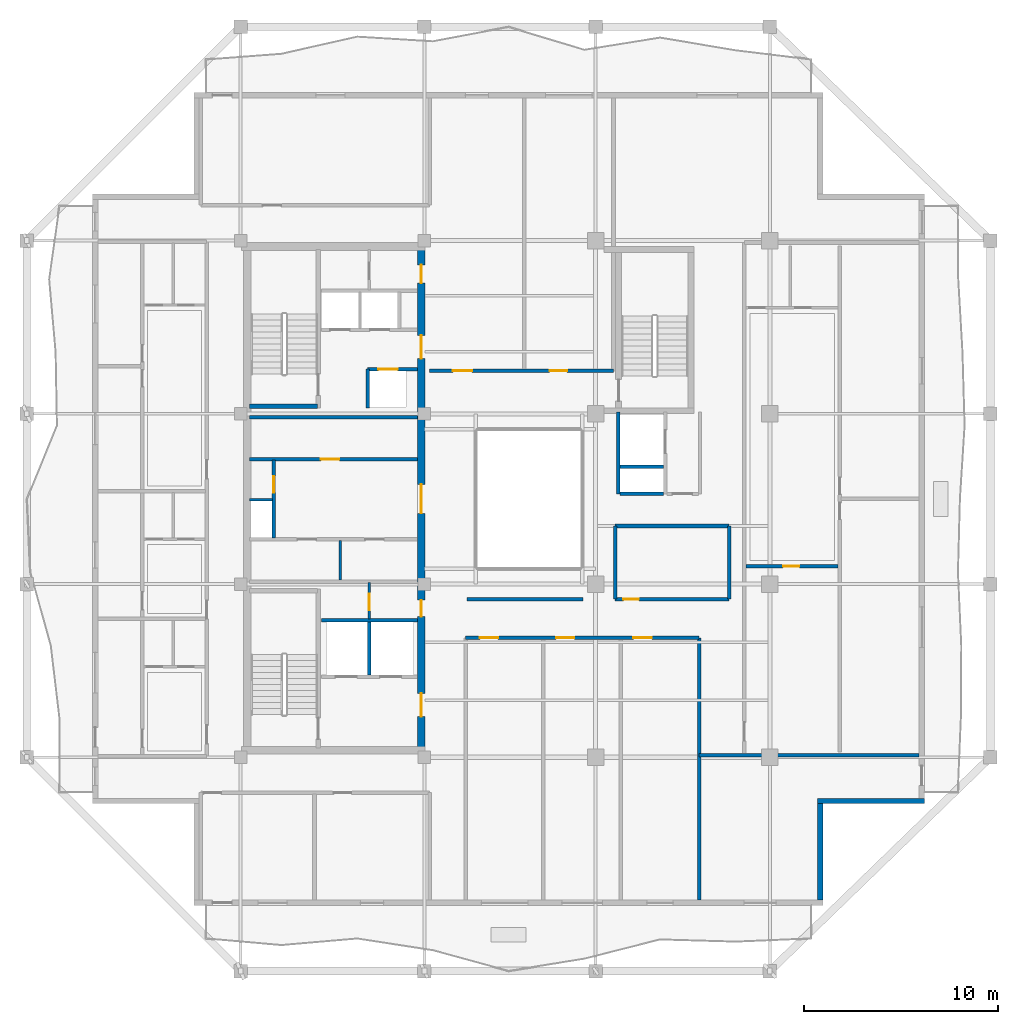
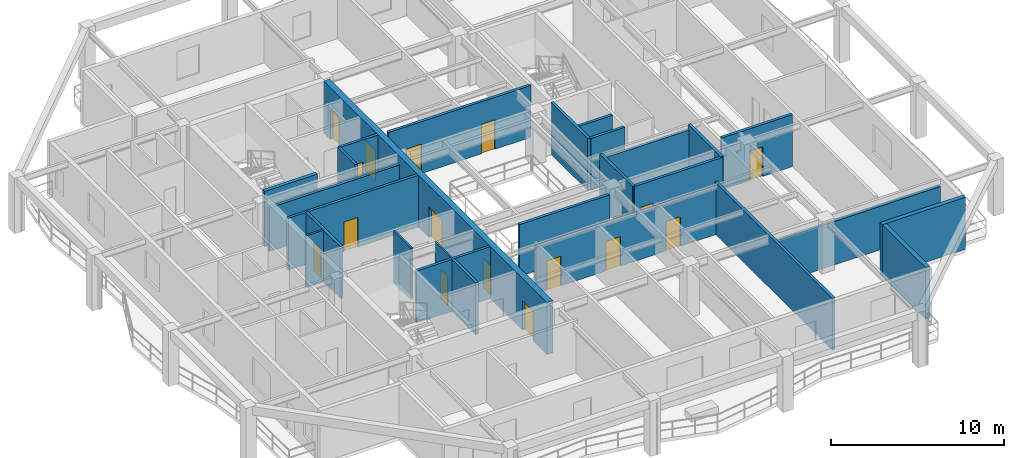
# One storey, part 4 of 11: 27 walls, 16 doors, 16 openings.
"""IFC4 building model written with IfcOpenShell, lengths in metres."""

from ifc_helpers import new_model, si_unit, direction, frame, frame_2d, origin, place, context, subcontext, project, spatial, rectangle, extrude, material, layer, layer_set, type_object, element, fill, save


model = new_model("IFC4")

# Units and contexts
model_context = context("Model", 3, precision=1e-05, world=origin(), true_north=direction((0.0, 1.0)))
body_context = subcontext(model_context, "Body", "Model", "MODEL_VIEW")
ifc_project = project(units=[si_unit("LENGTHUNIT", "METRE"), si_unit("AREAUNIT", "SQUARE_METRE"), si_unit("VOLUMEUNIT", "CUBIC_METRE"), si_unit("PLANEANGLEUNIT", "RADIAN"), si_unit("MASSUNIT", "GRAM", prefix="KILO")], contexts=[model_context])

# Site, building, storey
site_placement = place(None, origin())
site = spatial("IfcSite", under=ifc_project, at=site_placement, CompositionType="ELEMENT")
building_placement = place(site_placement, origin())
building = spatial("IfcBuilding", under=site, at=building_placement, Name="Kundavana Baori Tower", CompositionType="ELEMENT")
storey_placement = place(building_placement, frame((0.0, 0.0, 260.89990234375)))
storey = spatial("IfcBuildingStorey", under=building, at=storey_placement, Name="L64", CompositionType="ELEMENT", Elevation=260.89990234375)

# Wall, openings, doors
ifc_material_1 = material(Name="Concrete C50/60", Category="concrete")
ifc_layer_1 = layer(ifc_material_1, 0.39990234375, Name="WL-CORE-400")
ifc_layer_set_1 = layer_set([ifc_layer_1], Name="Concrete C50/60")
wall_type_1 = type_object("IfcWallType", Name="WL-CORE-400", PredefinedType="SHEAR", material=ifc_layer_set_1)
wall_1_placement = place(storey_placement, frame((24.780029296875, 15.739990234375, 0.0), z_axis=(0.0, 0.0, 1.0), x_axis=(0.0, 1.0, 0.0)))
wall_1 = element("IfcWall", 1, at=wall_1_placement, inside=storey, type_object=wall_type_1, Name="L64 Offset Core East Shear Wall", PredefinedType="SHEAR", context=body_context, shape_type="SweptSolid", body=[
    extrude(rectangle(XDim=25.760009765625, YDim=0.39990234375, at=frame_2d((12.8798828125, 0.0))), origin(), (0.0, 0.0, 1.0), 3.66015625),
])
opening_1_placement = place(wall_1_placement, frame((1.610107421875, 0.0, 0.0)))
opening_1 = element("IfcOpeningElement", 2, at=opening_1_placement, cuts=wall_1, Name="Opening FD-120", PredefinedType="OPENING", context=body_context, shape_type="SweptSolid", body=[
    extrude(rectangle(XDim=1.199951171875, YDim=2.10009765625, at=frame_2d((0.60009765625, 1.050048828125))), frame((0.0, 0.2099609375, 0.0), z_axis=(0.0, -1.0, 0.0), x_axis=(1.0, 0.0, 0.0)), (0.0, 0.0, 1.0), 0.419921875),
])
opening_2_placement = place(wall_1_placement, frame((6.780029296875, 0.0, 0.0)))
opening_2 = element("IfcOpeningElement", 3, at=opening_2_placement, cuts=wall_1, Name="Opening FD-085", PredefinedType="OPENING", context=body_context, shape_type="SweptSolid", body=[
    extrude(rectangle(XDim=0.85009765625, YDim=2.06005859375, at=frame_2d((0.425048828125, 1.030029296875))), frame((0.0, 0.2099609375, 0.0), z_axis=(0.0, -1.0, 0.0), x_axis=(1.0, 0.0, 0.0)), (0.0, 0.0, 1.0), 0.419921875),
])
opening_3_placement = place(wall_1_placement, frame((12.110107421875, 0.0, 0.0)))
opening_3 = element("IfcOpeningElement", 4, at=opening_3_placement, cuts=wall_1, Name="Opening FD-150", PredefinedType="OPENING", context=body_context, shape_type="SweptSolid", body=[
    extrude(rectangle(XDim=1.5, YDim=2.1201171875, at=frame_2d((0.75, 1.06005859375))), frame((0.0, 0.2099609375, 0.0), z_axis=(0.0, -1.0, 0.0), x_axis=(1.0, 0.0, 0.0)), (0.0, 0.0, 1.0), 0.419921875),
])
opening_4_placement = place(wall_1_placement, frame((20.110107421875, 0.0, 0.0)))
opening_4 = element("IfcOpeningElement", 5, at=opening_4_placement, cuts=wall_1, Name="Opening FD-122", PredefinedType="OPENING", context=body_context, shape_type="SweptSolid", body=[
    extrude(rectangle(XDim=1.199951171875, YDim=2.1201171875, at=frame_2d((0.60009765625, 1.06005859375))), frame((0.0, 0.2099609375, 0.0), z_axis=(0.0, -1.0, 0.0), x_axis=(1.0, 0.0, 0.0)), (0.0, 0.0, 1.0), 0.419921875),
])
opening_5_placement = place(wall_1_placement, frame((24.010009765625, 0.0, 0.0)))
opening_5 = element("IfcOpeningElement", 6, at=opening_5_placement, cuts=wall_1, Name="Opening FD-095", PredefinedType="OPENING", context=body_context, shape_type="SweptSolid", body=[
    extrude(rectangle(XDim=0.949951171875, YDim=2.10009765625, at=frame_2d((0.47509765625, 1.050048828125))), frame((0.0, 0.2099609375, 0.0), z_axis=(0.0, -1.0, 0.0), x_axis=(1.0, 0.0, 0.0)), (0.0, 0.0, 1.0), 0.419921875),
])
ifc_material_2 = material(Name="Galvanised Steel Fire-Rated Door Leaf", Category="steel")
door_type_1 = type_object("IfcDoorType", Name="DR-FD120-1200", OperationType="NOTDEFINED", PredefinedType="DOOR", material=ifc_material_2)
door_1_placement = place(opening_1_placement, frame((1.199951171875, 0.0, 0.0), z_axis=(0.0, 0.0, 1.0), x_axis=(-1.0, 0.0, 0.0)))
door_1 = element("IfcDoor", 7, at=door_1_placement, inside=storey, type_object=door_type_1, Name="DR-L64-FFLOB-E", OperationType="SINGLE_SWING_RIGHT", OverallHeight=2.10009765625, OverallWidth=1.199951171875, PredefinedType="DOOR", context=body_context, shape_type="SweptSolid", body=[
    extrude(rectangle(XDim=1.199951171875, YDim=2.10009765625, at=frame_2d((0.60009765625, 1.050048828125))), frame((0.0, 0.02490234375, 0.0), z_axis=(0.0, -1.0, 0.0), x_axis=(1.0, 0.0, 0.0)), (0.0, 0.0, 1.0), 0.050048828125),
])
fill(opening_1, door_1)
ifc_material_3 = material(Name="Galvanised Steel Fire-Rated Door Leaf", Category="steel")
door_type_2 = type_object("IfcDoorType", Name="DR-FD60-1200", OperationType="NOTDEFINED", PredefinedType="DOOR", material=ifc_material_3)
door_2_placement = place(opening_4_placement, frame((1.199951171875, 0.0, 0.0), z_axis=(0.0, 0.0, 1.0), x_axis=(-1.0, 0.0, 0.0)))
door_2 = element("IfcDoor", 8, at=door_2_placement, inside=storey, type_object=door_type_2, Name="DR-L64-HRLOB-E", OperationType="SINGLE_SWING_RIGHT", OverallHeight=2.1201171875, OverallWidth=1.199951171875, PredefinedType="DOOR", context=body_context, shape_type="SweptSolid", body=[
    extrude(rectangle(XDim=1.199951171875, YDim=2.1201171875, at=frame_2d((0.60009765625, 1.06005859375))), frame((0.0, 0.02490234375, 0.0), z_axis=(0.0, -1.0, 0.0), x_axis=(1.0, 0.0, 0.0)), (0.0, 0.0, 1.0), 0.050048828125),
])
fill(opening_4, door_2)
ifc_material_4 = material(Name="Galvanised Steel Fire-Rated Door Leaf", Category="steel")
door_type_3 = type_object("IfcDoorType", Name="DR-FD60-1500", OperationType="NOTDEFINED", PredefinedType="DOOR", material=ifc_material_4)
door_3_placement = place(opening_3_placement, frame((1.5, 0.0, 0.0), z_axis=(0.0, 0.0, 1.0), x_axis=(-1.0, 0.0, 0.0)))
door_3 = element("IfcDoor", 9, at=door_3_placement, inside=storey, type_object=door_type_3, Name="DR-L64-LIFTHALL-E", OperationType="SINGLE_SWING_LEFT", OverallHeight=2.1201171875, OverallWidth=1.5, PredefinedType="DOOR", context=body_context, shape_type="SweptSolid", body=[
    extrude(rectangle(XDim=1.5, YDim=2.1201171875, at=frame_2d((0.75, 1.06005859375))), frame((0.0, 0.02490234375, 0.0), z_axis=(0.0, -1.0, 0.0), x_axis=(1.0, 0.0, 0.0)), (0.0, 0.0, 1.0), 0.050048828125),
])
fill(opening_3, door_3)
ifc_material_5 = material(Name="Galvanised Steel Fire-Rated Door Leaf", Category="steel")
door_type_4 = type_object("IfcDoorType", Name="DR-FD60-850", OperationType="NOTDEFINED", PredefinedType="DOOR", material=ifc_material_5)
door_4_placement = place(opening_2_placement, frame((0.85009765625, 0.0, 0.0), z_axis=(0.0, 0.0, 1.0), x_axis=(-1.0, 0.0, 0.0)))
door_4 = element("IfcDoor", 10, at=door_4_placement, inside=storey, type_object=door_type_4, Name="DR-L64-CSMK2", OperationType="SINGLE_SWING_RIGHT", OverallHeight=2.06005859375, OverallWidth=0.85009765625, PredefinedType="DOOR", context=body_context, shape_type="SweptSolid", body=[
    extrude(rectangle(XDim=0.85009765625, YDim=2.06005859375, at=frame_2d((0.425048828125, 1.030029296875))), frame((0.0, 0.02490234375, 0.0), z_axis=(0.0, -1.0, 0.0), x_axis=(1.0, 0.0, 0.0)), (0.0, 0.0, 1.0), 0.050048828125),
])
fill(opening_2, door_4)
ifc_material_6 = material(Name="Engineered Teak Fire-Rated Timber Door Leaf", Category="wood")
door_type_5 = type_object("IfcDoorType", Name="DR-FD60-950", OperationType="NOTDEFINED", PredefinedType="DOOR", material=ifc_material_6)
door_5_placement = place(opening_5_placement, frame((0.949951171875, 0.0, 0.0), z_axis=(0.0, 0.0, 1.0), x_axis=(-1.0, 0.0, 0.0)))
door_5 = element("IfcDoor", 11, at=door_5_placement, inside=storey, type_object=door_type_5, Name="DR-L64-CSRV2", OperationType="SINGLE_SWING_RIGHT", OverallHeight=2.10009765625, OverallWidth=0.949951171875, PredefinedType="DOOR", context=body_context, shape_type="SweptSolid", body=[
    extrude(rectangle(XDim=0.949951171875, YDim=2.10009765625, at=frame_2d((0.47509765625, 1.050048828125))), frame((0.0, 0.02490234375, 0.0), z_axis=(0.0, -1.0, 0.0), x_axis=(1.0, 0.0, 0.0)), (0.0, 0.0, 1.0), 0.050048828125),
])
fill(opening_5, door_5)

# Walls
wall_2_placement = place(storey_placement, frame((15.89990234375, 33.389892578125, 0.0), z_axis=(0.0, 0.0, 1.0), x_axis=(1.0, 0.0, 0.0)))
element("IfcWall", 12, at=wall_2_placement, inside=storey, type_object=wall_type_1, Name="WL-L64-ST2-S", PredefinedType="SHEAR", context=body_context, shape_type="SweptSolid", body=[
    extrude(rectangle(XDim=3.52001953125, YDim=0.239990234375, at=frame_2d((1.760009765625, 0.0))), origin(), (0.0, 0.0, 1.0), 3.900146484375),
])
ifc_material_7 = material(Name="Red-Buff Dholpur Sandstone Cladding on Concrete C40/50", Category="masonry")
ifc_layer_2 = layer(ifc_material_7, 0.280029296875, Name="WL-EXT-SAND-280")
ifc_layer_set_2 = layer_set([ifc_layer_2], Name="Red-Buff Dholpur Sandstone Cladding on Concrete C40/50")
wall_type_2 = type_object("IfcWallType", Name="WL-EXT-SAND-280", PredefinedType="STANDARD", material=ifc_layer_set_2)
wall_3_placement = place(storey_placement, frame((45.409912109375, 7.8798828125, 0.0), z_axis=(0.0, 0.0, 1.0), x_axis=(0.0, 1.0, 0.0)))
element("IfcWall", 13, at=wall_3_placement, inside=storey, type_object=wall_type_2, Name="L64 Exterior Insulated Facade Wall 02", PredefinedType="STANDARD", context=body_context, shape_type="SweptSolid", body=[
    extrude(rectangle(XDim=4.97021484375, YDim=0.280029296875, at=frame_2d((2.485107421875, 0.0))), origin(), (0.0, 0.0, 1.0), 3.66015625),
])
wall_4_placement = place(storey_placement, frame((45.27001953125, 12.989990234375, 0.0), z_axis=(0.0, 0.0, 1.0), x_axis=(1.0, 0.0, 0.0)))
element("IfcWall", 14, at=wall_4_placement, inside=storey, type_object=wall_type_2, Name="L64 Exterior Insulated Facade Wall 03", PredefinedType="STANDARD", context=body_context, shape_type="SweptSolid", body=[
    extrude(rectangle(XDim=5.530029296875, YDim=0.280029296875, at=frame_2d((2.76513671875, 0.0))), origin(), (0.0, 0.0, 1.0), 3.66015625),
])

# Wall, opening, door
ifc_material_8 = material(Name="Acoustic Gypsum Plasterboard on Galvanised Steel Studs", Category="steel")
ifc_layer_3 = layer(ifc_material_8, 0.1201171875, Name="WL-PART-120")
ifc_layer_set_3 = layer_set([ifc_layer_3], Name="Acoustic Gypsum Plasterboard on Galvanised Steel Studs")
wall_type_3 = type_object("IfcWallType", Name="WL-PART-120", PredefinedType="PARTITIONING", material=ifc_layer_set_3)
wall_5_placement = place(storey_placement, frame((22.10009765625, 22.39990234375, 0.0), z_axis=(0.0, 0.0, 1.0), x_axis=(0.0, 1.0, 0.0)))
wall_5 = element("IfcWall", 15, at=wall_5_placement, inside=storey, type_object=wall_type_3, Name="WL-L64-CSMK-D1", PredefinedType="PARTITIONING", context=body_context, shape_type="SweptSolid", body=[
    extrude(rectangle(XDim=1.880126953125, YDim=0.1201171875, at=frame_2d((0.93994140625, 0.0))), origin(), (0.0, 0.0, 1.0), 3.66015625),
])
opening_6_placement = place(wall_5_placement, frame((0.449951171875, 0.0, 0.0)))
opening_6 = element("IfcOpeningElement", 16, at=opening_6_placement, cuts=wall_5, Name="Opening FD-085", PredefinedType="OPENING", context=body_context, shape_type="SweptSolid", body=[
    extrude(rectangle(XDim=0.85009765625, YDim=2.06005859375, at=frame_2d((0.425048828125, 1.030029296875))), frame((0.0, 0.070068359375, 0.0), z_axis=(0.0, -1.0, 0.0), x_axis=(1.0, 0.0, 0.0)), (0.0, 0.0, 1.0), 0.14013671875),
])
door_6_placement = place(opening_6_placement, origin())
door_6 = element("IfcDoor", 17, at=door_6_placement, inside=storey, type_object=door_type_4, Name="DR-L64-CSMK1", OperationType="SINGLE_SWING_LEFT", OverallHeight=2.06005859375, OverallWidth=0.85009765625, PredefinedType="DOOR", context=body_context, shape_type="SweptSolid", body=[
    extrude(rectangle(XDim=0.85009765625, YDim=2.06005859375, at=frame_2d((0.425048828125, 1.030029296875))), frame((0.0, 0.02490234375, 0.0), z_axis=(0.0, -1.0, 0.0), x_axis=(1.0, 0.0, 0.0)), (0.0, 0.0, 1.0), 0.050048828125),
])
fill(opening_6, door_6)

# Walls
wall_6_placement = place(storey_placement, frame((20.60009765625, 24.419921875, 0.0), z_axis=(0.0, 0.0, 1.0), x_axis=(0.0, 1.0, 0.0)))
element("IfcWall", 18, at=wall_6_placement, inside=storey, type_object=wall_type_3, Name="WL-L64-FRLOW-DIV", PredefinedType="PARTITIONING", context=body_context, shape_type="SweptSolid", body=[
    extrude(rectangle(XDim=2.02001953125, YDim=0.1201171875, at=frame_2d((1.010009765625, 0.0))), origin(), (0.0, 0.0, 1.0), 3.66015625),
])
wall_7_placement = place(storey_placement, frame((15.89990234375, 28.56005859375, 0.0), z_axis=(0.0, 0.0, 1.0), x_axis=(1.0, 0.0, 0.0)))
element("IfcWall", 19, at=wall_7_placement, inside=storey, type_object=wall_type_3, Name="WL-L64-RSRW-N", PredefinedType="PARTITIONING", context=body_context, shape_type="SweptSolid", body=[
    extrude(rectangle(XDim=1.2001953125, YDim=0.1201171875, at=frame_2d((0.60009765625, 0.0))), origin(), (0.0, 0.0, 1.0), 3.66015625),
])

# Wall, openings, doors
ifc_material_9 = material(Name="Autoclaved Aerated Concrete Blockwork Masonry", Category="masonry")
ifc_layer_4 = layer(ifc_material_9, 0.18505859375, Name="WL-PART-180")
ifc_layer_set_4 = layer_set([ifc_layer_4], Name="Autoclaved Aerated Concrete Blockwork Masonry")
wall_type_4 = type_object("IfcWallType", Name="WL-PART-180", PredefinedType="SOLIDWALL", material=ifc_layer_set_4)
wall_8_placement = place(storey_placement, frame((27.080078125, 21.419921875, 0.0), z_axis=(0.0, 0.0, 1.0), x_axis=(1.0, 0.0, 0.0)))
wall_8 = element("IfcWall", 20, at=wall_8_placement, inside=storey, type_object=wall_type_4, Name="WL-L64-RS", PredefinedType="SOLIDWALL", context=body_context, shape_type="SweptSolid", body=[
    extrude(rectangle(XDim=12.06982421875, YDim=0.18505859375, at=frame_2d((6.034912109375, 0.0))), origin(), (0.0, 0.0, 1.0), 3.31005859375),
])
opening_7_placement = place(wall_8_placement, frame((0.72998046875, 0.0, 0.0)))
opening_7 = element("IfcOpeningElement", 21, at=opening_7_placement, cuts=wall_8, Name="Opening ID-095", PredefinedType="OPENING", context=body_context, shape_type="SweptSolid", body=[
    extrude(rectangle(XDim=0.949951171875, YDim=2.080078125, at=frame_2d((0.47509765625, 1.0400390625))), frame((0.0, 0.1025390625, 0.0), z_axis=(0.0, -1.0, 0.0), x_axis=(1.0, 0.0, 0.0)), (0.0, 0.0, 1.0), 0.205078125),
])
opening_8_placement = place(wall_8_placement, frame((4.669921875, 0.0, 0.0)))
opening_8 = element("IfcOpeningElement", 22, at=opening_8_placement, cuts=wall_8, Name="Opening ID-095", PredefinedType="OPENING", context=body_context, shape_type="SweptSolid", body=[
    extrude(rectangle(XDim=0.949951171875, YDim=2.080078125, at=frame_2d((0.47509765625, 1.0400390625))), frame((0.0, 0.1025390625, 0.0), z_axis=(0.0, -1.0, 0.0), x_axis=(1.0, 0.0, 0.0)), (0.0, 0.0, 1.0), 0.205078125),
])
opening_9_placement = place(wall_8_placement, frame((8.669921875, 0.0, 0.0)))
opening_9 = element("IfcOpeningElement", 23, at=opening_9_placement, cuts=wall_8, Name="Opening ID-095", PredefinedType="OPENING", context=body_context, shape_type="SweptSolid", body=[
    extrude(rectangle(XDim=0.949951171875, YDim=2.080078125, at=frame_2d((0.47509765625, 1.0400390625))), frame((0.0, 0.1025390625, 0.0), z_axis=(0.0, -1.0, 0.0), x_axis=(1.0, 0.0, 0.0)), (0.0, 0.0, 1.0), 0.205078125),
])
ifc_material_10 = material(Name="Engineered Teak Solid-Core Timber Veneer", Category="wood")
door_type_6 = type_object("IfcDoorType", Name="DR-INT-950", OperationType="NOTDEFINED", PredefinedType="DOOR", material=ifc_material_10)
door_7_placement = place(opening_7_placement, frame((0.949951171875, 0.0, 0.0), z_axis=(0.0, 0.0, 1.0), x_axis=(-1.0, 0.0, 0.0)))
door_7 = element("IfcDoor", 24, at=door_7_placement, inside=storey, type_object=door_type_6, Name="DR-L64-RCS1", OperationType="SINGLE_SWING_RIGHT", OverallHeight=2.080078125, OverallWidth=0.949951171875, PredefinedType="DOOR", context=body_context, shape_type="SweptSolid", body=[
    extrude(rectangle(XDim=0.949951171875, YDim=2.080078125, at=frame_2d((0.47509765625, 1.0400390625))), frame((0.0, 0.02490234375, 0.0), z_axis=(0.0, -1.0, 0.0), x_axis=(1.0, 0.0, 0.0)), (0.0, 0.0, 1.0), 0.050048828125),
])
fill(opening_7, door_7)
door_8_placement = place(opening_8_placement, frame((0.949951171875, 0.0, 0.0), z_axis=(0.0, 0.0, 1.0), x_axis=(-1.0, 0.0, 0.0)))
door_8 = element("IfcDoor", 25, at=door_8_placement, inside=storey, type_object=door_type_6, Name="DR-L64-RCS2", OperationType="SINGLE_SWING_RIGHT", OverallHeight=2.080078125, OverallWidth=0.949951171875, PredefinedType="DOOR", context=body_context, shape_type="SweptSolid", body=[
    extrude(rectangle(XDim=0.949951171875, YDim=2.080078125, at=frame_2d((0.47509765625, 1.0400390625))), frame((0.0, 0.02490234375, 0.0), z_axis=(0.0, -1.0, 0.0), x_axis=(1.0, 0.0, 0.0)), (0.0, 0.0, 1.0), 0.050048828125),
])
fill(opening_8, door_8)
door_9_placement = place(opening_9_placement, frame((0.949951171875, 0.0, 0.0), z_axis=(0.0, 0.0, 1.0), x_axis=(-1.0, 0.0, 0.0)))
door_9 = element("IfcDoor", 26, at=door_9_placement, inside=storey, type_object=door_type_6, Name="DR-L64-RCS3", OperationType="SINGLE_SWING_RIGHT", OverallHeight=2.080078125, OverallWidth=0.949951171875, PredefinedType="DOOR", context=body_context, shape_type="SweptSolid", body=[
    extrude(rectangle(XDim=0.949951171875, YDim=2.080078125, at=frame_2d((0.47509765625, 1.0400390625))), frame((0.0, 0.02490234375, 0.0), z_axis=(0.0, -1.0, 0.0), x_axis=(1.0, 0.0, 0.0)), (0.0, 0.0, 1.0), 0.050048828125),
])
fill(opening_9, door_9)

# Wall
wall_9_placement = place(storey_placement, frame((27.14990234375, 23.419921875, 0.0), z_axis=(0.0, 0.0, 1.0), x_axis=(1.0, 0.0, 0.0)))
element("IfcWall", 27, at=wall_9_placement, inside=storey, type_object=wall_type_4, Name="WL-L64-RST", PredefinedType="SOLIDWALL", context=body_context, shape_type="SweptSolid", body=[
    extrude(rectangle(XDim=6.0, YDim=0.18505859375, at=frame_2d((3.0, 0.0))), origin(), (0.0, 0.0, 1.0), 3.66015625),
])

# Wall, openings, doors
wall_10_placement = place(storey_placement, frame((25.219970703125, 35.219970703125, 0.0), z_axis=(0.0, 0.0, 1.0), x_axis=(1.0, 0.0, 0.0)))
wall_10 = element("IfcWall", 28, at=wall_10_placement, inside=storey, type_object=wall_type_4, Name="WL-L64-RN", PredefinedType="SOLIDWALL", context=body_context, shape_type="SweptSolid", body=[
    extrude(rectangle(XDim=9.5, YDim=0.18505859375, at=frame_2d((4.75, 0.0))), origin(), (0.0, 0.0, 1.0), 3.66015625),
])
opening_10_placement = place(wall_10_placement, frame((1.199951171875, 0.0, 0.0)))
opening_10 = element("IfcOpeningElement", 29, at=opening_10_placement, cuts=wall_10, Name="Opening ID-100", PredefinedType="OPENING", context=body_context, shape_type="SweptSolid", body=[
    extrude(rectangle(XDim=1.0, YDim=2.080078125, at=frame_2d((0.5, 1.0400390625))), frame((0.0, 0.1025390625, 0.0), z_axis=(0.0, -1.0, 0.0), x_axis=(1.0, 0.0, 0.0)), (0.0, 0.0, 1.0), 0.205078125),
])
opening_11_placement = place(wall_10_placement, frame((6.199951171875, 0.0, 0.0)))
opening_11 = element("IfcOpeningElement", 30, at=opening_11_placement, cuts=wall_10, Name="Opening ID-090", PredefinedType="OPENING", context=body_context, shape_type="SweptSolid", body=[
    extrude(rectangle(XDim=0.89990234375, YDim=2.080078125, at=frame_2d((0.449951171875, 1.0400390625))), frame((0.0, 0.1025390625, 0.0), z_axis=(0.0, -1.0, 0.0), x_axis=(1.0, 0.0, 0.0)), (0.0, 0.0, 1.0), 0.205078125),
])
ifc_material_11 = material(Name="Engineered Teak Solid-Core Timber Veneer", Category="wood")
door_type_7 = type_object("IfcDoorType", Name="DR-INT-1000", OperationType="NOTDEFINED", PredefinedType="DOOR", material=ifc_material_11)
door_10_placement = place(opening_10_placement, origin())
door_10 = element("IfcDoor", 31, at=door_10_placement, inside=storey, type_object=door_type_7, Name="DR-L64-RLN1", OperationType="SINGLE_SWING_LEFT", OverallHeight=2.080078125, OverallWidth=1.0, PredefinedType="DOOR", context=body_context, shape_type="SweptSolid", body=[
    extrude(rectangle(XDim=1.0, YDim=2.080078125, at=frame_2d((0.5, 1.0400390625))), frame((0.0, 0.02490234375, 0.0), z_axis=(0.0, -1.0, 0.0), x_axis=(1.0, 0.0, 0.0)), (0.0, 0.0, 1.0), 0.050048828125),
])
fill(opening_10, door_10)
ifc_material_12 = material(Name="Engineered Teak Solid-Core Timber Veneer", Category="wood")
door_type_8 = type_object("IfcDoorType", Name="DR-INT-900", OperationType="NOTDEFINED", PredefinedType="DOOR", material=ifc_material_12)
door_11_placement = place(opening_11_placement, origin())
door_11 = element("IfcDoor", 32, at=door_11_placement, inside=storey, type_object=door_type_8, Name="DR-L64-RLN2", OperationType="SINGLE_SWING_RIGHT", OverallHeight=2.080078125, OverallWidth=0.89990234375, PredefinedType="DOOR", context=body_context, shape_type="SweptSolid", body=[
    extrude(rectangle(XDim=0.89990234375, YDim=2.080078125, at=frame_2d((0.449951171875, 1.0400390625))), frame((0.0, 0.02490234375, 0.0), z_axis=(0.0, -1.0, 0.0), x_axis=(1.0, 0.0, 0.0)), (0.0, 0.0, 1.0), 0.050048828125),
])
fill(opening_11, door_11)

# Walls
wall_11_placement = place(storey_placement, frame((39.14990234375, 7.8798828125, 0.0), z_axis=(0.0, 0.0, 1.0), x_axis=(0.0, 1.0, 0.0)))
element("IfcWall", 33, at=wall_11_placement, inside=storey, type_object=wall_type_4, Name="WL-L64-RSEND", PredefinedType="SOLIDWALL", context=body_context, shape_type="SweptSolid", body=[
    extrude(rectangle(XDim=13.5400390625, YDim=0.18505859375, at=frame_2d((6.77001953125, 0.0))), origin(), (0.0, 0.0, 1.0), 3.66015625),
])
wall_12_placement = place(storey_placement, frame((39.14990234375, 15.35009765625, 0.0), z_axis=(0.0, 0.0, 1.0), x_axis=(1.0, 0.0, 0.0)))
element("IfcWall", 34, at=wall_12_placement, inside=storey, type_object=wall_type_4, Name="WL-L64-RES", PredefinedType="SOLIDWALL", context=body_context, shape_type="SweptSolid", body=[
    extrude(rectangle(XDim=11.3701171875, YDim=0.18505859375, at=frame_2d((5.68505859375, 0.0))), origin(), (0.0, 0.0, 1.0), 3.06005859375),
])

# Wall, opening, door
wall_13_placement = place(storey_placement, frame((41.580078125, 25.131103515625, 0.0), z_axis=(0.0, 0.0, 1.0), x_axis=(1.0, 0.0, 0.0)))
wall_13 = element("IfcWall", 35, at=wall_13_placement, inside=storey, type_object=wall_type_4, Name="WL-L64-E1-STH", PredefinedType="SOLIDWALL", context=body_context, shape_type="SweptSolid", body=[
    extrude(rectangle(XDim=4.747802734375, YDim=0.18505859375, at=frame_2d((2.3740234375, 0.0))), origin(), (0.0, 0.0, 1.0), 3.66015625),
])
opening_12_placement = place(wall_13_placement, frame((1.89990234375, 0.0, 0.0)))
opening_12 = element("IfcOpeningElement", 36, at=opening_12_placement, cuts=wall_13, Name="Opening ID-085", PredefinedType="OPENING", context=body_context, shape_type="SweptSolid", body=[
    extrude(rectangle(XDim=0.85009765625, YDim=2.080078125, at=frame_2d((0.425048828125, 1.0400390625))), frame((0.0, 0.1025390625, 0.0), z_axis=(0.0, -1.0, 0.0), x_axis=(1.0, 0.0, 0.0)), (0.0, 0.0, 1.0), 0.205078125),
])
ifc_material_13 = material(Name="Engineered Teak Solid-Core Timber Veneer", Category="wood")
door_type_9 = type_object("IfcDoorType", Name="DR-INT-850", OperationType="NOTDEFINED", PredefinedType="DOOR", material=ifc_material_13)
door_12_placement = place(opening_12_placement, frame((0.85009765625, 0.0, 0.0), z_axis=(0.0, 0.0, 1.0), x_axis=(-1.0, 0.0, 0.0)))
door_12 = element("IfcDoor", 37, at=door_12_placement, inside=storey, type_object=door_type_9, Name="DR-L64-E1-STD", OperationType="SINGLE_SWING_LEFT", OverallHeight=2.080078125, OverallWidth=0.85009765625, PredefinedType="DOOR", context=body_context, shape_type="SweptSolid", body=[
    extrude(rectangle(XDim=0.85009765625, YDim=2.080078125, at=frame_2d((0.425048828125, 1.0400390625))), frame((0.0, 0.02490234375, 0.0), z_axis=(0.0, -1.0, 0.0), x_axis=(1.0, 0.0, 0.0)), (0.0, 0.0, 1.0), 0.050048828125),
])
fill(opening_12, door_12)

wall_14_placement = place(storey_placement, frame((34.800048828125, 23.419921875, 0.0), z_axis=(0.0, 0.0, 1.0), x_axis=(1.0, 0.0, 0.0)))
wall_14 = element("IfcWall", 38, at=wall_14_placement, inside=storey, type_object=wall_type_4, Name="WL-L64-ALS", PredefinedType="SOLIDWALL", context=body_context, shape_type="SweptSolid", body=[
    extrude(rectangle(XDim=5.89990234375, YDim=0.18505859375, at=frame_2d((2.949951171875, 0.0))), origin(), (0.0, 0.0, 1.0), 3.66015625),
])
opening_13_placement = place(wall_14_placement, frame((0.429931640625, 0.0, 0.0)))
opening_13 = element("IfcOpeningElement", 39, at=opening_13_placement, cuts=wall_14, Name="Opening WD-080", PredefinedType="OPENING", context=body_context, shape_type="SweptSolid", body=[
    extrude(rectangle(XDim=0.800048828125, YDim=2.050048828125, at=frame_2d((0.39990234375, 1.02490234375))), frame((0.0, 0.1025390625, 0.0), z_axis=(0.0, -1.0, 0.0), x_axis=(1.0, 0.0, 0.0)), (0.0, 0.0, 1.0), 0.205078125),
])
ifc_material_14 = material(Name="Engineered Teak Solid-Core Timber Veneer", Category="wood")
door_type_10 = type_object("IfcDoorType", Name="DR-WET-800", OperationType="NOTDEFINED", PredefinedType="DOOR", material=ifc_material_14)
door_13_placement = place(opening_13_placement, origin())
door_13 = element("IfcDoor", 40, at=door_13_placement, inside=storey, type_object=door_type_10, Name="DR-L64-RALC1", OperationType="SINGLE_SWING_LEFT", OverallHeight=2.050048828125, OverallWidth=0.800048828125, PredefinedType="DOOR", context=body_context, shape_type="SweptSolid", body=[
    extrude(rectangle(XDim=0.800048828125, YDim=2.050048828125, at=frame_2d((0.39990234375, 1.02490234375))), frame((0.0, 0.02490234375, 0.0), z_axis=(0.0, -1.0, 0.0), x_axis=(1.0, 0.0, 0.0)), (0.0, 0.0, 1.0), 0.050048828125),
])
fill(opening_13, door_13)

# Walls
wall_15_placement = place(storey_placement, frame((34.800048828125, 27.199951171875, 0.0), z_axis=(0.0, 0.0, 1.0), x_axis=(1.0, 0.0, 0.0)))
element("IfcWall", 41, at=wall_15_placement, inside=storey, type_object=wall_type_4, Name="WL-L64-ALN", PredefinedType="SOLIDWALL", context=body_context, shape_type="SweptSolid", body=[
    extrude(rectangle(XDim=5.89990234375, YDim=0.18505859375, at=frame_2d((2.949951171875, 0.0))), origin(), (0.0, 0.0, 1.0), 3.31005859375),
])
for number, where, z_axis, x_axis, name in (
    (42, (34.800048828125, 23.419921875, 0.0), (0.0, 0.0, 1.0), (0.0, 1.0, 0.0), "WL-L64-ALW"),
    (43, (40.699951171875, 23.419921875, 0.0), (0.0, 0.0, 1.0), (0.0, 1.0, 0.0), "WL-L64-ALE"),
):
    element("IfcWall", number, at=place(storey_placement, frame(where, z_axis=z_axis, x_axis=x_axis)), inside=storey, type_object=wall_type_4, Name=name, PredefinedType="SOLIDWALL", context=body_context, shape_type="SweptSolid", body=[
        extrude(rectangle(XDim=3.780029296875, YDim=0.18505859375, at=frame_2d((1.89013671875, 0.0))), origin(), (0.0, 0.0, 1.0), 3.66015625),
    ])
ifc_material_15 = material(Name="Autoclaved Aerated Concrete Blockwork Masonry", Category="masonry")
ifc_layer_5 = layer(ifc_material_15, 0.179931640625, Name="WL-SHAFT-180")
ifc_layer_set_5 = layer_set([ifc_layer_5], Name="Autoclaved Aerated Concrete Blockwork Masonry")
wall_type_5 = type_object("IfcWallType", Name="WL-SHAFT-180", PredefinedType="SOLIDWALL", material=ifc_layer_set_5)
wall_16_placement = place(storey_placement, frame((22.10009765625, 19.510009765625, 0.0), z_axis=(0.0, 0.0, 1.0), x_axis=(0.0, 1.0, 0.0)))
element("IfcWall", 44, at=wall_16_placement, inside=storey, type_object=wall_type_5, Name="WL-L64-FFL-MID", PredefinedType="SOLIDWALL", context=body_context, shape_type="SweptSolid", body=[
    extrude(rectangle(XDim=2.739990234375, YDim=0.179931640625, at=frame_2d((1.3701171875, 0.0))), origin(), (0.0, 0.0, 1.0), 3.66015625),
])
wall_17_placement = place(storey_placement, frame((19.639892578125, 22.340087890625, 0.0), z_axis=(0.0, 0.0, 1.0), x_axis=(1.0, 0.0, 0.0)))
element("IfcWall", 45, at=wall_17_placement, inside=storey, type_object=wall_type_5, Name="WL-L64-FFL-N", PredefinedType="SOLIDWALL", context=body_context, shape_type="SweptSolid", body=[
    extrude(rectangle(XDim=4.940185546875, YDim=0.179931640625, at=frame_2d((2.47021484375, 0.0))), origin(), (0.0, 0.0, 1.0), 3.66015625),
])

# Wall, opening, door
wall_18_placement = place(storey_placement, frame((17.159912109375, 26.580078125, 0.0), z_axis=(0.0, 0.0, 1.0), x_axis=(0.0, 1.0, 0.0)))
wall_18 = element("IfcWall", 46, at=wall_18_placement, inside=storey, type_object=wall_type_5, Name="WL-L64-RSRW-E", PredefinedType="SOLIDWALL", context=body_context, shape_type="SweptSolid", body=[
    extrude(rectangle(XDim=4.02001953125, YDim=0.179931640625, at=frame_2d((2.010009765625, 0.0))), origin(), (0.0, 0.0, 1.0), 3.66015625),
])
opening_14_placement = place(wall_18_placement, frame((2.35009765625, 0.0, 0.0)))
opening_14 = element("IfcOpeningElement", 47, at=opening_14_placement, cuts=wall_18, Name="Opening FD-085", PredefinedType="OPENING", context=body_context, shape_type="SweptSolid", body=[
    extrude(rectangle(XDim=0.85009765625, YDim=2.06005859375, at=frame_2d((0.425048828125, 1.030029296875))), frame((0.0, 0.10009765625, 0.0), z_axis=(0.0, -1.0, 0.0), x_axis=(1.0, 0.0, 0.0)), (0.0, 0.0, 1.0), 0.199951171875),
])
door_14_placement = place(opening_14_placement, origin())
door_14 = element("IfcDoor", 48, at=door_14_placement, inside=storey, type_object=door_type_4, Name="DR-L64-CLN", OperationType="SINGLE_SWING_RIGHT", OverallHeight=2.06005859375, OverallWidth=0.85009765625, PredefinedType="DOOR", context=body_context, shape_type="SweptSolid", body=[
    extrude(rectangle(XDim=0.85009765625, YDim=2.06005859375, at=frame_2d((0.425048828125, 1.030029296875))), frame((0.0, 0.02490234375, 0.0), z_axis=(0.0, -1.0, 0.0), x_axis=(1.0, 0.0, 0.0)), (0.0, 0.0, 1.0), 0.050048828125),
])
fill(opening_14, door_14)

wall_19_placement = place(storey_placement, frame((15.89990234375, 30.639892578125, 0.0), z_axis=(0.0, 0.0, 1.0), x_axis=(1.0, 0.0, 0.0)))
wall_19 = element("IfcWall", 49, at=wall_19_placement, inside=storey, type_object=wall_type_5, Name="WL-L64-LPMID-S", PredefinedType="SOLIDWALL", context=body_context, shape_type="SweptSolid", body=[
    extrude(rectangle(XDim=8.68017578125, YDim=0.179931640625, at=frame_2d((4.340087890625, 0.0))), origin(), (0.0, 0.0, 1.0), 3.66015625),
])
opening_15_placement = place(wall_19_placement, frame((3.699951171875, 0.0, 0.0)))
opening_15 = element("IfcOpeningElement", 50, at=opening_15_placement, cuts=wall_19, Name="Opening FD-095", PredefinedType="OPENING", context=body_context, shape_type="SweptSolid", body=[
    extrude(rectangle(XDim=0.949951171875, YDim=2.10009765625, at=frame_2d((0.47509765625, 1.050048828125))), frame((0.0, 0.10009765625, 0.0), z_axis=(0.0, -1.0, 0.0), x_axis=(1.0, 0.0, 0.0)), (0.0, 0.0, 1.0), 0.199951171875),
])
door_15_placement = place(opening_15_placement, frame((0.949951171875, 0.0, 0.0), z_axis=(0.0, 0.0, 1.0), x_axis=(-1.0, 0.0, 0.0)))
door_15 = element("IfcDoor", 51, at=door_15_placement, inside=storey, type_object=door_type_5, Name="DR-L64-FRMID1", OperationType="SINGLE_SWING_RIGHT", OverallHeight=2.10009765625, OverallWidth=0.949951171875, PredefinedType="DOOR", context=body_context, shape_type="SweptSolid", body=[
    extrude(rectangle(XDim=0.949951171875, YDim=2.10009765625, at=frame_2d((0.47509765625, 1.050048828125))), frame((0.0, 0.02490234375, 0.0), z_axis=(0.0, -1.0, 0.0), x_axis=(1.0, 0.0, 0.0)), (0.0, 0.0, 1.0), 0.050048828125),
])
fill(opening_15, door_15)

# Wall
wall_20_placement = place(storey_placement, frame((15.89990234375, 32.820068359375, 0.0), z_axis=(0.0, 0.0, 1.0), x_axis=(1.0, 0.0, 0.0)))
element("IfcWall", 52, at=wall_20_placement, inside=storey, type_object=wall_type_5, Name="WL-L64-LPMID-N", PredefinedType="SOLIDWALL", context=body_context, shape_type="SweptSolid", body=[
    extrude(rectangle(XDim=8.68017578125, YDim=0.179931640625, at=frame_2d((4.340087890625, 0.0))), origin(), (0.0, 0.0, 1.0), 3.06005859375),
])

# Wall, opening, door
wall_21_placement = place(storey_placement, frame((22.02001953125, 35.31005859375, 0.0), z_axis=(0.0, 0.0, 1.0), x_axis=(1.0, 0.0, 0.0)))
wall_21 = element("IfcWall", 53, at=wall_21_placement, inside=storey, type_object=wall_type_5, Name="WL-L64-LP11-N", PredefinedType="SOLIDWALL", context=body_context, shape_type="SweptSolid", body=[
    extrude(rectangle(XDim=2.56005859375, YDim=0.179931640625, at=frame_2d((1.280029296875, 0.0))), origin(), (0.0, 0.0, 1.0), 3.66015625),
])
opening_16_placement = place(wall_21_placement, frame((0.550048828125, 0.0, 0.0)))
opening_16 = element("IfcOpeningElement", 54, at=opening_16_placement, cuts=wall_21, Name="Opening LD-100", PredefinedType="OPENING", context=body_context, shape_type="SweptSolid", body=[
    extrude(rectangle(XDim=1.0, YDim=2.10009765625, at=frame_2d((0.5, 1.050048828125))), frame((0.0, 0.10009765625, 0.0), z_axis=(0.0, -1.0, 0.0), x_axis=(1.0, 0.0, 0.0)), (0.0, 0.0, 1.0), 0.199951171875),
])
ifc_material_16 = material(Name="Galvanised Steel Fire-Rated Door Leaf", Category="steel")
door_type_11 = type_object("IfcDoorType", Name="DR-SLIDE-LD1000", OperationType="NOTDEFINED", PredefinedType="DOOR", material=ifc_material_16)
door_16_placement = place(opening_16_placement, origin())
door_16 = element("IfcDoor", 55, at=door_16_placement, inside=storey, type_object=door_type_11, Name="DR-L64-LD-LP11", OperationType="DOUBLE_DOOR_SLIDING", OverallHeight=2.10009765625, OverallWidth=1.0, PredefinedType="DOOR", context=body_context, shape_type="SweptSolid", body=[
    extrude(rectangle(XDim=1.0, YDim=2.10009765625, at=frame_2d((0.5, 1.050048828125))), frame((0.0, 0.02490234375, 0.0), z_axis=(0.0, -1.0, 0.0), x_axis=(1.0, 0.0, 0.0)), (0.0, 0.0, 1.0), 0.050048828125),
])
fill(opening_16, door_16)

# Walls
wall_22_placement = place(storey_placement, frame((22.02001953125, 33.300048828125, 0.0), z_axis=(0.0, 0.0, 1.0), x_axis=(0.0, 1.0, 0.0)))
element("IfcWall", 56, at=wall_22_placement, inside=storey, type_object=wall_type_5, Name="WL-L64-LP11-W", PredefinedType="SOLIDWALL", context=body_context, shape_type="SweptSolid", body=[
    extrude(rectangle(XDim=2.010009765625, YDim=0.179931640625, at=frame_2d((1.0048828125, 0.0))), origin(), (0.0, 0.0, 1.0), 3.66015625),
])
wall_23_placement = place(storey_placement, frame((34.9599609375, 28.860107421875, 0.0), z_axis=(0.0, 0.0, 1.0), x_axis=(0.0, 1.0, 0.0)))
element("IfcWall", 57, at=wall_23_placement, inside=storey, type_object=wall_type_5, Name="WL-L64-SVL-W", PredefinedType="SOLIDWALL", context=body_context, shape_type="SweptSolid", body=[
    extrude(rectangle(XDim=4.219970703125, YDim=0.179931640625, at=frame_2d((2.10986328125, 0.0))), origin(), (0.0, 0.0, 1.0), 3.66015625),
])
for number, where, z_axis, x_axis, name in (
    (58, (35.050048828125, 28.860107421875, 0.0), (0.0, 0.0, 1.0), (1.0, 0.0, 0.0), "WL-L64-SVL-S"),
    (59, (35.050048828125, 30.27001953125, 0.0), (0.0, 0.0, 1.0), (1.0, 0.0, 0.0), "WL-L64-SVL-M"),
):
    element("IfcWall", number, at=place(storey_placement, frame(where, z_axis=z_axis, x_axis=x_axis)), inside=storey, type_object=wall_type_5, Name=name, PredefinedType="SOLIDWALL", context=body_context, shape_type="SweptSolid", body=[
        extrude(rectangle(XDim=2.25, YDim=0.179931640625, at=frame_2d((1.125, 0.0))), origin(), (0.0, 0.0, 1.0), 3.66015625),
    ])

save(model, "model.ifc")
